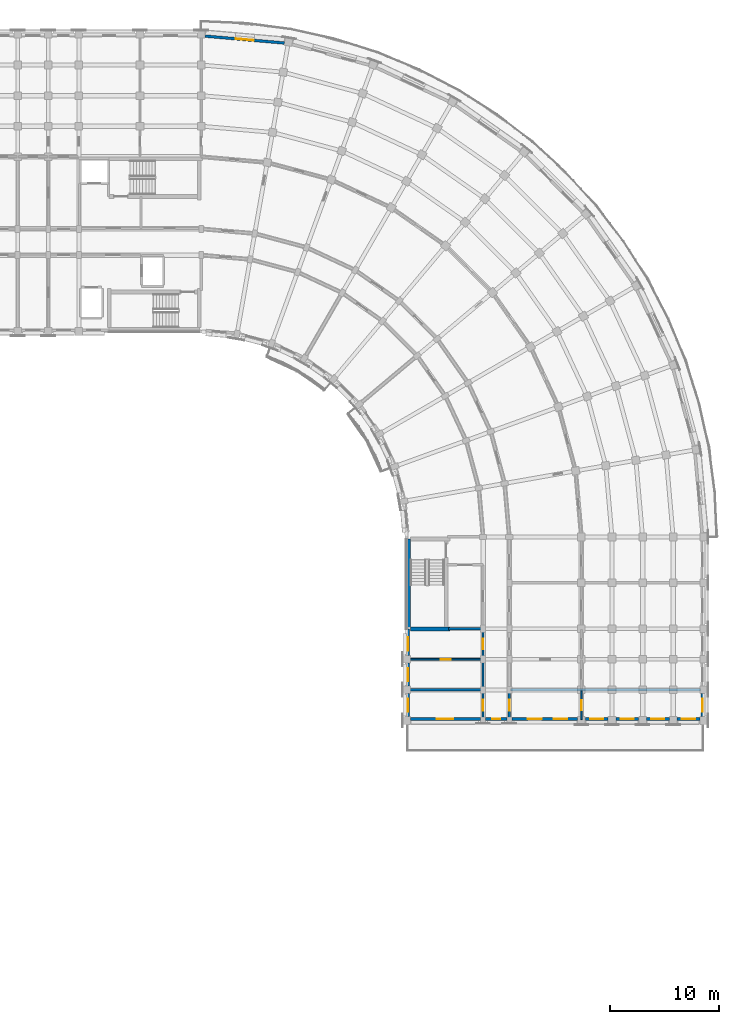
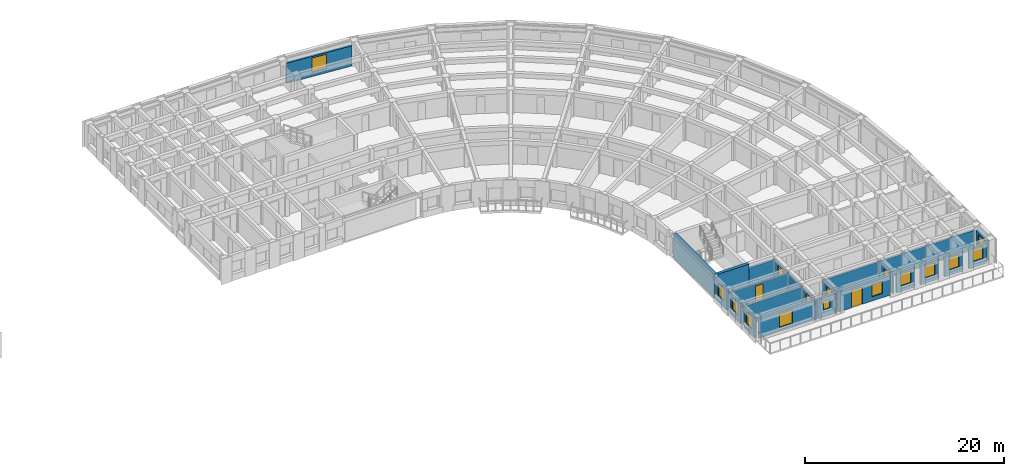
# One storey, part 33 of 54: 23 walls, 12 windows, 6 doors, 18 openings.
"""IFC4 building model written with IfcOpenShell, lengths in metres."""

import ifcopenshell
import ifcopenshell.guid

model = None  # the IFC model being written
_history = None  # IfcOwnerHistory: only IFC2X3 demands one
_inside = {}  # id of a spatial element -> (the spatial element, [elements in it])
_under = {}  # id of a project, library or spatial element -> (it, [spatial elements below it])
_declared = {}  # id of a project -> (the project, [libraries it declares])
_typed = {}  # id of a type object -> (the type object, [elements of that type])
_made_of = {}  # id of a material, layer set ... -> (it, [elements and type objects made of it])


def new_model(schema):
    """Start an empty IFC model of exactly this schema.

    Asked for "IFC4X3", IfcOpenShell would pick the latest addendum, in which some entities
    have other attributes; the version numbers below select the first issue.
    IFC2X3 requires an IfcOwnerHistory on every rooted entity: one is made here for all.
    """
    global model, _history
    if schema == "IFC4X3":
        model = ifcopenshell.file(schema_version=(4, 3, 0, 0))
    else:
        model = ifcopenshell.file(schema=schema)
    _inside.clear()
    _under.clear()
    _declared.clear()
    _typed.clear()
    _made_of.clear()
    _history = None
    if model.schema == "IFC2X3":
        org = make("IfcOrganization", Name="unknown")
        user = make(
            "IfcPersonAndOrganization",
            ThePerson=make("IfcPerson", FamilyName="unknown"),
            TheOrganization=org,
        )
        app = make(
            "IfcApplication",
            ApplicationDeveloper=org,
            Version="unknown",
            ApplicationFullName="unknown",
            ApplicationIdentifier="unknown",
        )
        _history = make(
            "IfcOwnerHistory",
            OwningUser=user,
            OwningApplication=app,
            ChangeAction="ADDED",
            CreationDate=0,
        )
    return model


def make(cls, **values):
    """One entity of the class cls with the attributes given. An attribute that is None is left unset."""
    return model.create_entity(
        cls, **{name: value for name, value in values.items() if value is not None}
    )


def rooted(cls, **values):
    """An entity with a GlobalId (a new one), such as an element, a storey or a relation."""
    return make(cls, GlobalId=ifcopenshell.guid.new(), OwnerHistory=_history, **values)


def si_unit(unit_type, name, prefix=None):
    """IfcSIUnit, for example si_unit("LENGTHUNIT", "METRE", prefix="MILLI")."""
    return make("IfcSIUnit", UnitType=unit_type, Prefix=prefix, Name=name)


def assignment(units):
    """IfcUnitAssignment: the units of a project."""
    return None if units is None else make("IfcUnitAssignment", Units=units)


def point(xyz):
    """IfcCartesianPoint."""
    return None if xyz is None else make("IfcCartesianPoint", Coordinates=xyz)


def direction(xyz):
    """IfcDirection."""
    return None if xyz is None else make("IfcDirection", DirectionRatios=xyz)


def frame(location, z_axis=None, x_axis=None):
    """IfcAxis2Placement3D, a coordinate frame: its origin and axes. An axis left out is left unset."""
    return make(
        "IfcAxis2Placement3D",
        Location=point(location),
        Axis=direction(z_axis),
        RefDirection=direction(x_axis),
    )


def frame_2d(location, x_axis=None):
    """IfcAxis2Placement2D, a coordinate frame in the plane: its origin and x axis."""
    return make(
        "IfcAxis2Placement2D", Location=point(location), RefDirection=direction(x_axis)
    )


def origin():
    """The frame at (0, 0, 0) with its axes left unset."""
    return frame((0.0, 0.0, 0.0))


def place(relative_to, where):
    """IfcLocalPlacement: puts the frame where relative to a parent placement (None: the world)."""
    return make(
        "IfcLocalPlacement", PlacementRelTo=relative_to, RelativePlacement=where
    )


def context(
    kind, dimensions, precision=None, world=None, true_north=None, identifier=None
):
    """IfcGeometricRepresentationContext, for example the 3D "Model" context."""
    return make(
        "IfcGeometricRepresentationContext",
        ContextIdentifier=identifier,
        ContextType=kind,
        CoordinateSpaceDimension=dimensions,
        Precision=precision,
        WorldCoordinateSystem=world,
        TrueNorth=true_north,
    )


def subcontext(parent, identifier, kind, view, scale=None):
    """IfcGeometricRepresentationSubContext, for example "Body" below "Model"."""
    return make(
        "IfcGeometricRepresentationSubContext",
        ContextIdentifier=identifier,
        ContextType=kind,
        ParentContext=parent,
        TargetScale=scale,
        TargetView=view,
    )


def project(units=None, contexts=None):
    """IfcProject with its units and contexts."""
    return rooted(
        "IfcProject",
        Name="project",
        RepresentationContexts=contexts,
        UnitsInContext=assignment(units),
    )


def spatial(cls, under=None, at=None, **own):
    """A site, building, storey or space (cls), placed at a placement, below another one or the project."""
    s = rooted(cls, ObjectPlacement=at, **own)
    if under is not None:
        _under.setdefault(under.id(), (under, []))[1].append(s)
    return s


def profile(cls, at=None, kind="AREA", **sizes):
    """A parametric profile (cls). Its sizes go by their IFC names, for example OverallWidth=200.0."""
    return make(cls, ProfileType=kind, Position=at, **sizes)


def rectangle(**sizes):
    """IfcRectangleProfileDef."""
    return profile("IfcRectangleProfileDef", **sizes)


def extrude(swept, where, along, depth):
    """IfcExtrudedAreaSolid: the profile swept, set in the frame where, extruded along a direction by depth."""
    return make(
        "IfcExtrudedAreaSolid",
        SweptArea=swept,
        Position=where,
        ExtrudedDirection=direction(along),
        Depth=depth,
    )


def shape(context_of_items, identifier, shape_type, items):
    """IfcShapeRepresentation: the items that make up one representation, for example the "Body"."""
    return make(
        "IfcShapeRepresentation",
        ContextOfItems=context_of_items,
        RepresentationIdentifier=identifier,
        RepresentationType=shape_type,
        Items=items,
    )


def material(Name=None, Category=None):
    """IfcMaterial."""
    return make("IfcMaterial", Name=Name, Category=Category)


def layer(
    of_material, thickness, ventilated=None, Name=None, Category=None, Priority=None
):
    """IfcMaterialLayer: one layer of a wall or slab, of a material (None: an air gap)."""
    return make(
        "IfcMaterialLayer",
        Material=of_material,
        LayerThickness=thickness,
        IsVentilated=ventilated,
        Name=Name,
        Category=Category,
        Priority=Priority,
    )


def layer_set(layers, Name=None):
    """IfcMaterialLayerSet."""
    return make("IfcMaterialLayerSet", MaterialLayers=layers, LayerSetName=Name)


def made_of(thing, what):
    """Note that an element or type object is made of a material, layer set ...; save() writes the relation."""
    if what is not None:
        _made_of.setdefault(what.id(), (what, []))[1].append(thing)
    return thing


def type_object(cls, material=None, **own):
    """A type object (cls), such as IfcWallType, which elements share."""
    return made_of(rooted(cls, **own), material)


def element(
    cls,
    number,
    at=None,
    inside=None,
    cuts=None,
    type_object=None,
    material=None,
    context=None,
    identifier="Body",
    shape_type=None,
    held_by="IfcProductDefinitionShape",
    body=None,
    shapes=None,
    **own,
):
    """One element of the class cls, such as IfcWall. Its Tag is "e" and its number.

    at: its placement. inside: the storey or other place that contains it. cuts: it is an
    opening in that element (IfcRelVoidsElement). A single representation is given by context,
    identifier, shape_type and body (its items); several are given by shapes. held_by: the class
    of the entity that holds the representations. save() writes the other relations.
    """
    e = rooted(cls, Tag="e%d" % number, ObjectPlacement=at, **own)
    if body is not None:
        shapes = [shape(context, identifier, shape_type, body)]
    if shapes is not None:
        e.Representation = make(held_by, Representations=shapes)
    if inside is not None:
        _inside.setdefault(inside.id(), (inside, []))[1].append(e)
    if cuts is not None:
        rooted(
            "IfcRelVoidsElement", RelatingBuildingElement=cuts, RelatedOpeningElement=e
        )
    if type_object is not None:
        _typed.setdefault(type_object.id(), (type_object, []))[1].append(e)
    return made_of(e, material)


def fill(opening, filler):
    """IfcRelFillsElement: the door or window that sits in an opening."""
    return rooted(
        "IfcRelFillsElement",
        RelatingOpeningElement=opening,
        RelatedBuildingElement=filler,
    )


def aggregate(whole, parts):
    """IfcRelAggregates: a whole, such as a stair, and the parts it consists of."""
    return rooted("IfcRelAggregates", RelatingObject=whole, RelatedObjects=parts)


def save(model, path):
    """Write the relations noted so far, then the file.

    IfcRelAggregates (storeys below a building ...), IfcRelContainedInSpatialStructure (elements
    in a storey), IfcRelDefinesByType, IfcRelAssociatesMaterial and IfcRelDeclares: one each for
    every whole, place, type object, material and project.
    """
    for whole, parts in _under.values():
        aggregate(whole, parts)
    for where, things in _inside.values():
        rooted(
            "IfcRelContainedInSpatialStructure",
            RelatedElements=things,
            RelatingStructure=where,
        )
    for kind, things in _typed.values():
        rooted("IfcRelDefinesByType", RelatedObjects=things, RelatingType=kind)
    for what, things in _made_of.values():
        rooted("IfcRelAssociatesMaterial", RelatedObjects=things, RelatingMaterial=what)
    for by, libraries in _declared.values():
        rooted("IfcRelDeclares", RelatingContext=by, RelatedDefinitions=libraries)
    model.write(path)


model = new_model("IFC4")

# Units and contexts
model_context = context("Model", 3, precision=1e-05, world=origin(), true_north=direction((0.0, 1.0)))
body_context = subcontext(model_context, "Body", "Model", "MODEL_VIEW")
ifc_project = project(units=[si_unit("LENGTHUNIT", "METRE"), si_unit("AREAUNIT", "SQUARE_METRE"), si_unit("VOLUMEUNIT", "CUBIC_METRE"), si_unit("PLANEANGLEUNIT", "RADIAN"), si_unit("MASSUNIT", "GRAM", prefix="KILO")], contexts=[model_context])

# Site, building, storey
site_placement = place(None, origin())
site = spatial("IfcSite", under=ifc_project, at=site_placement, CompositionType="ELEMENT")
building_placement = place(site_placement, origin())
building = spatial("IfcBuilding", under=site, at=building_placement, Name="Kiranvali Square Residences", CompositionType="ELEMENT")
storey_placement = place(building_placement, frame((0.0, 0.0, 27.60009765625)))
storey = spatial("IfcBuildingStorey", under=building, at=storey_placement, Name="L08", CompositionType="ELEMENT", Elevation=27.60009765625)

# Wall, opening, door
ifc_material_1 = material(Name="Autoclaved aerated concrete blockwork masonry", Category="masonry")
ifc_layer_1 = layer(ifc_material_1, 0.199951171875)
ifc_layer_set_1 = layer_set([ifc_layer_1], Name="Autoclaved aerated concrete blockwork masonry")
wall_type_1 = type_object("IfcWallType", Name="WL-COR-200", PredefinedType="STANDARD", material=ifc_layer_set_1)
wall_1_placement = place(storey_placement, frame((145.60009765625, 79.39990234375, 0.0), z_axis=(0.0, 0.0, 1.0), x_axis=(0.0, -1.0, 0.0)))
wall_1 = element("IfcWall", 1, at=wall_1_placement, inside=storey, type_object=wall_type_1, Name="L08 architectural wall WL-L08-B-A2CI-0", PredefinedType="STANDARD", context=body_context, shape_type="SweptSolid", body=[
    extrude(rectangle(XDim=2.7998046875, YDim=0.199951171875, at=frame_2d((1.39990234375, 0.0))), origin(), (0.0, 0.0, 1.0), 2.371826171875),
])
opening_1_placement = place(wall_1_placement, frame((0.89990234375, 0.0, 0.0)))
opening_1 = element("IfcOpeningElement", 2, at=opening_1_placement, cuts=wall_1, Name="Opening FD-APT-60", PredefinedType="OPENING", context=body_context, shape_type="SweptSolid", body=[
    extrude(rectangle(XDim=1.0, YDim=2.14990234375, at=frame_2d((0.5, 1.074951171875))), frame((0.0, 0.10986328125, 0.0), z_axis=(0.0, -1.0, 0.0), x_axis=(1.0, 0.0, 0.0)), (0.0, 0.0, 1.0), 0.219970703125),
])
ifc_material_2 = material(Name="Fire-rated acoustic hardwood and mineral-core door assembly", Category="wood")
door_type_1 = type_object("IfcDoorType", Name="DR-APT-1000", OperationType="NOTDEFINED", PredefinedType="DOOR", material=ifc_material_2)
door_1_placement = place(opening_1_placement, frame((1.0, 0.0, 0.0), z_axis=(0.0, 0.0, 1.0), x_axis=(-1.0, 0.0, 0.0)))
door_1 = element("IfcDoor", 3, at=door_1_placement, inside=storey, type_object=door_type_1, Name="L08 door DR-L08-1504 (DR-APT-1000)", OperationType="SINGLE_SWING_RIGHT", OverallHeight=2.14990234375, OverallWidth=1.0, PredefinedType="DOOR", context=body_context, shape_type="SweptSolid", body=[
    extrude(rectangle(XDim=1.0, YDim=2.14990234375, at=frame_2d((0.5, 1.074951171875))), frame((0.0, 0.02490234375, 0.0), z_axis=(0.0, -1.0, 0.0), x_axis=(1.0, 0.0, 0.0)), (0.0, 0.0, 1.0), 0.050048828125),
])
fill(opening_1, door_1)

# Wall
wall_2_placement = place(storey_placement, frame((145.60009765625, 76.60009765625, 0.0), z_axis=(0.0, 0.0, 1.0), x_axis=(0.0, -1.0, 0.0)))
element("IfcWall", 4, at=wall_2_placement, inside=storey, type_object=wall_type_1, Name="L08 architectural wall WL-L08-B-A2CI-1", PredefinedType="STANDARD", context=body_context, shape_type="SweptSolid", body=[
    extrude(rectangle(XDim=2.800048828125, YDim=0.199951171875, at=frame_2d((1.39990234375, 0.0))), origin(), (0.0, 0.0, 1.0), 2.371826171875),
])

# Wall, opening, door
wall_3_placement = place(storey_placement, frame((145.60009765625, 73.800048828125, 0.0), z_axis=(0.0, 0.0, 1.0), x_axis=(0.0, -1.0, 0.0)))
wall_3 = element("IfcWall", 5, at=wall_3_placement, inside=storey, type_object=wall_type_1, Name="L08 architectural wall WL-L08-B-A2CI-2", PredefinedType="STANDARD", context=body_context, shape_type="SweptSolid", body=[
    extrude(rectangle(XDim=2.800048828125, YDim=0.199951171875, at=frame_2d((1.39990234375, 0.0))), origin(), (0.0, 0.0, 1.0), 2.371826171875),
])
opening_2_placement = place(wall_3_placement, frame((0.89990234375, 0.0, 0.0)))
opening_2 = element("IfcOpeningElement", 6, at=opening_2_placement, cuts=wall_3, Name="Opening FD-APT-60", PredefinedType="OPENING", context=body_context, shape_type="SweptSolid", body=[
    extrude(rectangle(XDim=1.0, YDim=2.14990234375, at=frame_2d((0.5, 1.074951171875))), frame((0.0, 0.10986328125, 0.0), z_axis=(0.0, -1.0, 0.0), x_axis=(1.0, 0.0, 0.0)), (0.0, 0.0, 1.0), 0.219970703125),
])
door_2_placement = place(opening_2_placement, frame((1.0, 0.0, 0.0), z_axis=(0.0, 0.0, 1.0), x_axis=(-1.0, 0.0, 0.0)))
door_2 = element("IfcDoor", 7, at=door_2_placement, inside=storey, type_object=door_type_1, Name="L08 door DR-L08-1510 (DR-APT-1000)", OperationType="SINGLE_SWING_RIGHT", OverallHeight=2.14990234375, OverallWidth=1.0, PredefinedType="DOOR", context=body_context, shape_type="SweptSolid", body=[
    extrude(rectangle(XDim=1.0, YDim=2.14990234375, at=frame_2d((0.5, 1.074951171875))), frame((0.0, 0.02490234375, 0.0), z_axis=(0.0, -1.0, 0.0), x_axis=(1.0, 0.0, 0.0)), (0.0, 0.0, 1.0), 0.050048828125),
])
fill(opening_2, door_2)

wall_4_placement = place(storey_placement, frame((148.0, 73.800048828125, 0.0), z_axis=(0.0, 0.0, 1.0), x_axis=(0.0, -1.0, 0.0)))
wall_4 = element("IfcWall", 8, at=wall_4_placement, inside=storey, type_object=wall_type_1, Name="L08 architectural wall WL-L08-B-A2CO-2", PredefinedType="STANDARD", context=body_context, shape_type="SweptSolid", body=[
    extrude(rectangle(XDim=2.800048828125, YDim=0.199951171875, at=frame_2d((1.39990234375, 0.0))), origin(), (0.0, 0.0, 1.0), 2.371826171875),
])
opening_3_placement = place(wall_4_placement, frame((0.89990234375, 0.0, 0.0)))
opening_3 = element("IfcOpeningElement", 9, at=opening_3_placement, cuts=wall_4, Name="Opening FD-APT-60", PredefinedType="OPENING", context=body_context, shape_type="SweptSolid", body=[
    extrude(rectangle(XDim=1.0, YDim=2.14990234375, at=frame_2d((0.5, 1.074951171875))), frame((0.0, 0.10986328125, 0.0), z_axis=(0.0, -1.0, 0.0), x_axis=(1.0, 0.0, 0.0)), (0.0, 0.0, 1.0), 0.219970703125),
])
door_3_placement = place(opening_3_placement, frame((1.0, 0.0, 0.0), z_axis=(0.0, 0.0, 1.0), x_axis=(-1.0, 0.0, 0.0)))
door_3 = element("IfcDoor", 10, at=door_3_placement, inside=storey, type_object=door_type_1, Name="L08 door DR-L08-1512 (DR-APT-1000)", OperationType="SINGLE_SWING_RIGHT", OverallHeight=2.14990234375, OverallWidth=1.0, PredefinedType="DOOR", context=body_context, shape_type="SweptSolid", body=[
    extrude(rectangle(XDim=1.0, YDim=2.14990234375, at=frame_2d((0.5, 1.074951171875))), frame((0.0, 0.02490234375, 0.0), z_axis=(0.0, -1.0, 0.0), x_axis=(1.0, 0.0, 0.0)), (0.0, 0.0, 1.0), 0.050048828125),
])
fill(opening_3, door_3)

# Walls
ifc_layer_2 = layer(ifc_material_1, 0.219970703125)
ifc_layer_set_2 = layer_set([ifc_layer_2], Name="Autoclaved aerated concrete blockwork masonry")
wall_type_2 = type_object("IfcWallType", Name="WL-DEM-220", PredefinedType="STANDARD", material=ifc_layer_set_2)
wall_5_placement = place(storey_placement, frame((142.449951171875, 79.39990234375, 0.0), z_axis=(0.0, 0.0, 1.0), x_axis=(1.0, 0.0, 0.0)))
element("IfcWall", 11, at=wall_5_placement, inside=storey, type_object=wall_type_2, Name="L08 architectural wall WL-L08-B-A2TI-0", PredefinedType="STANDARD", context=body_context, shape_type="SweptSolid", body=[
    extrude(rectangle(XDim=3.10009765625, YDim=0.219970703125, at=frame_2d((1.550048828125, 0.0))), origin(), (0.0, 0.0, 1.0), 2.371826171875),
])
wall_6_placement = place(storey_placement, frame((138.800048828125, 73.800048828125, 0.0), z_axis=(0.0, 0.0, 1.0), x_axis=(1.0, 0.0, 0.0)))
element("IfcWall", 12, at=wall_6_placement, inside=storey, type_object=wall_type_2, Name="L08 architectural wall WL-L08-B-A2TI-2", PredefinedType="STANDARD", context=body_context, shape_type="SweptSolid", body=[
    extrude(rectangle(XDim=6.75, YDim=0.219970703125, at=frame_2d((3.375, 0.0))), origin(), (0.0, 0.0, 1.0), 2.371826171875),
])
wall_7_placement = place(storey_placement, frame((148.10009765625, 73.800048828125, 0.0), z_axis=(0.0, 0.0, 1.0), x_axis=(1.0, 0.0, 0.0)))
element("IfcWall", 13, at=wall_7_placement, inside=storey, type_object=wall_type_2, Name="L08 architectural wall WL-L08-B-A2TO-2", PredefinedType="STANDARD", context=body_context, shape_type="SweptSolid", body=[
    extrude(rectangle(XDim=17.419921875, YDim=0.219970703125, at=frame_2d((8.7099609375, 0.0))), origin(), (0.0, 0.0, 1.0), 2.371826171875),
])

# Wall, opening, window
ifc_material_3 = material(Name="Breathable lime-rendered clay brick masonry", Category="masonry")
ifc_layer_3 = layer(ifc_material_3, 0.25)
ifc_layer_set_3 = layer_set([ifc_layer_3], Name="Breathable lime-rendered clay brick masonry")
wall_type_3 = type_object("IfcWallType", Name="WL-EXT-250", PredefinedType="STANDARD", material=ifc_layer_set_3)
wall_8_placement = place(storey_placement, frame((120.16357421875, 133.642822265625, 0.0), z_axis=(0.0, 0.0, 1.0), x_axis=(0.99619214922, -0.08718487158, 0.0)))
wall_8 = element("IfcWall", 14, at=wall_8_placement, inside=storey, type_object=wall_type_3, Name="L08 exterior wall B-L08-CRV-00", PredefinedType="STANDARD", context=body_context, shape_type="SweptSolid", body=[
    extrude(rectangle(XDim=7.2666015625, YDim=0.25, at=frame_2d((3.63330078125, 0.0))), origin(), (0.0, 0.0, 1.0), 2.47998046875),
])
opening_4_placement = place(wall_8_placement, frame((2.808349609375, 0.0, 0.530029296875)))
opening_4 = element("IfcOpeningElement", 15, at=opening_4_placement, cuts=wall_8, Name="Opening W-13", PredefinedType="OPENING", context=body_context, shape_type="SweptSolid", body=[
    extrude(rectangle(XDim=1.64990234375, YDim=1.75, at=frame_2d((0.824951171875, 0.875))), frame((0.0, 0.135009765625, 0.0), z_axis=(0.0, -1.0, 0.0), x_axis=(1.0, 0.0, 0.0)), (0.0, 0.0, 1.0), 0.27001953125),
])
ifc_material_4 = material(Name="Solar-control low-e double glazing", Category="glass")
window_type_1 = type_object("IfcWindowType", Name="WIN-RES-1650x1750", PartitioningType="DOUBLE_PANEL_VERTICAL", PredefinedType="WINDOW", material=ifc_material_4)
window_1_placement = place(opening_4_placement, origin())
window_1 = element("IfcWindow", 16, at=window_1_placement, inside=storey, type_object=window_type_1, Name="L08 recessed window B-L08-CRV-00", OverallHeight=1.75, OverallWidth=1.64990234375, PartitioningType="DOUBLE_PANEL_VERTICAL", PredefinedType="WINDOW", context=body_context, shape_type="SweptSolid", body=[
    extrude(rectangle(XDim=1.64990234375, YDim=1.75, at=frame_2d((0.824951171875, 0.875))), frame((0.0, 0.030029296875, 0.0), z_axis=(0.0, -1.0, 0.0), x_axis=(1.0, 0.0, 0.0)), (0.0, 0.0, 1.0), 0.06005859375),
])
fill(opening_4, window_1)

wall_9_placement = place(storey_placement, frame((165.675048828125, 73.446533203125, 0.0), z_axis=(0.0, 0.0, 1.0), x_axis=(0.0, -1.0, 0.0)))
wall_9 = element("IfcWall", 17, at=wall_9_placement, inside=storey, type_object=wall_type_3, Name="L08 exterior wall B-L08-A2O-4", PredefinedType="STANDARD", context=body_context, shape_type="SweptSolid", body=[
    extrude(rectangle(XDim=2.093017578125, YDim=0.25, at=frame_2d((1.04638671875, 0.0))), origin(), (0.0, 0.0, 1.0), 2.47998046875),
])
opening_5_placement = place(wall_9_placement, frame((0.446533203125, 0.0, 0.780029296875)))
opening_5 = element("IfcOpeningElement", 18, at=opening_5_placement, cuts=wall_9, Name="Opening W-06", PredefinedType="OPENING", context=body_context, shape_type="SweptSolid", body=[
    extrude(rectangle(XDim=1.199951171875, YDim=1.5, at=frame_2d((0.60009765625, 0.75))), frame((0.0, 0.135009765625, 0.0), z_axis=(0.0, -1.0, 0.0), x_axis=(1.0, 0.0, 0.0)), (0.0, 0.0, 1.0), 0.27001953125),
])
window_type_2 = type_object("IfcWindowType", Name="WIN-RES-1200x1500", PartitioningType="SINGLE_PANEL", PredefinedType="WINDOW", material=ifc_material_4)
window_2_placement = place(opening_5_placement, origin())
window_2 = element("IfcWindow", 19, at=window_2_placement, inside=storey, type_object=window_type_2, Name="L08 recessed window B-L08-A2O-4", OverallHeight=1.5, OverallWidth=1.199951171875, PartitioningType="SINGLE_PANEL", PredefinedType="WINDOW", context=body_context, shape_type="SweptSolid", body=[
    extrude(rectangle(XDim=1.199951171875, YDim=1.5, at=frame_2d((0.60009765625, 0.75))), frame((0.0, 0.030029296875, 0.0), z_axis=(0.0, -1.0, 0.0), x_axis=(1.0, 0.0, 0.0)), (0.0, 0.0, 1.0), 0.06005859375),
])
fill(opening_5, window_2)

wall_10_placement = place(storey_placement, frame((138.72509765625, 79.37158203125, 0.0), z_axis=(0.0, 0.0, 1.0), x_axis=(0.0, -1.0, 0.0)))
wall_10 = element("IfcWall", 20, at=wall_10_placement, inside=storey, type_object=wall_type_3, Name="L08 exterior wall B-L08-A2I-0", PredefinedType="STANDARD", context=body_context, shape_type="SweptSolid", body=[
    extrude(rectangle(XDim=2.41796875, YDim=0.25, at=frame_2d((1.208984375, 0.0))), origin(), (0.0, 0.0, 1.0), 2.471923828125),
])
opening_6_placement = place(wall_10_placement, frame((0.771484375, 0.0, 0.77197265625)))
opening_6 = element("IfcOpeningElement", 21, at=opening_6_placement, cuts=wall_10, Name="Opening W-06", PredefinedType="OPENING", context=body_context, shape_type="SweptSolid", body=[
    extrude(rectangle(XDim=1.199951171875, YDim=1.5, at=frame_2d((0.60009765625, 0.75))), frame((0.0, 0.135009765625, 0.0), z_axis=(0.0, -1.0, 0.0), x_axis=(1.0, 0.0, 0.0)), (0.0, 0.0, 1.0), 0.27001953125),
])
window_3_placement = place(opening_6_placement, origin())
window_3 = element("IfcWindow", 22, at=window_3_placement, inside=storey, type_object=window_type_2, Name="L08 recessed window B-L08-A2I-0", OverallHeight=1.5, OverallWidth=1.199951171875, PartitioningType="SINGLE_PANEL", PredefinedType="WINDOW", context=body_context, shape_type="SweptSolid", body=[
    extrude(rectangle(XDim=1.199951171875, YDim=1.5, at=frame_2d((0.60009765625, 0.75))), frame((0.0, 0.030029296875, 0.0), z_axis=(0.0, -1.0, 0.0), x_axis=(1.0, 0.0, 0.0)), (0.0, 0.0, 1.0), 0.06005859375),
])
fill(opening_6, window_3)

wall_11_placement = place(storey_placement, frame((138.72509765625, 76.24658203125, 0.0), z_axis=(0.0, 0.0, 1.0), x_axis=(0.0, -1.0, 0.0)))
wall_11 = element("IfcWall", 23, at=wall_11_placement, inside=storey, type_object=wall_type_3, Name="L08 exterior wall B-L08-A2I-1", PredefinedType="STANDARD", context=body_context, shape_type="SweptSolid", body=[
    extrude(rectangle(XDim=2.093017578125, YDim=0.25, at=frame_2d((1.04638671875, 0.0))), origin(), (0.0, 0.0, 1.0), 2.471923828125),
])
opening_7_placement = place(wall_11_placement, frame((0.446533203125, 0.0, 0.77197265625)))
opening_7 = element("IfcOpeningElement", 24, at=opening_7_placement, cuts=wall_11, Name="Opening W-06", PredefinedType="OPENING", context=body_context, shape_type="SweptSolid", body=[
    extrude(rectangle(XDim=1.199951171875, YDim=1.5, at=frame_2d((0.60009765625, 0.75))), frame((0.0, 0.135009765625, 0.0), z_axis=(0.0, -1.0, 0.0), x_axis=(1.0, 0.0, 0.0)), (0.0, 0.0, 1.0), 0.27001953125),
])
window_4_placement = place(opening_7_placement, origin())
window_4 = element("IfcWindow", 25, at=window_4_placement, inside=storey, type_object=window_type_2, Name="L08 recessed window B-L08-A2I-1", OverallHeight=1.5, OverallWidth=1.199951171875, PartitioningType="SINGLE_PANEL", PredefinedType="WINDOW", context=body_context, shape_type="SweptSolid", body=[
    extrude(rectangle(XDim=1.199951171875, YDim=1.5, at=frame_2d((0.60009765625, 0.75))), frame((0.0, 0.030029296875, 0.0), z_axis=(0.0, -1.0, 0.0), x_axis=(1.0, 0.0, 0.0)), (0.0, 0.0, 1.0), 0.06005859375),
])
fill(opening_7, window_4)

wall_12_placement = place(storey_placement, frame((138.72509765625, 73.446533203125, 0.0), z_axis=(0.0, 0.0, 1.0), x_axis=(0.0, -1.0, 0.0)))
wall_12 = element("IfcWall", 26, at=wall_12_placement, inside=storey, type_object=wall_type_3, Name="L08 exterior wall B-L08-A2I-2", PredefinedType="STANDARD", context=body_context, shape_type="SweptSolid", body=[
    extrude(rectangle(XDim=2.093017578125, YDim=0.25, at=frame_2d((1.04638671875, 0.0))), origin(), (0.0, 0.0, 1.0), 2.471923828125),
])
opening_8_placement = place(wall_12_placement, frame((0.446533203125, 0.0, 0.77197265625)))
opening_8 = element("IfcOpeningElement", 27, at=opening_8_placement, cuts=wall_12, Name="Opening W-06", PredefinedType="OPENING", context=body_context, shape_type="SweptSolid", body=[
    extrude(rectangle(XDim=1.199951171875, YDim=1.5, at=frame_2d((0.60009765625, 0.75))), frame((0.0, 0.135009765625, 0.0), z_axis=(0.0, -1.0, 0.0), x_axis=(1.0, 0.0, 0.0)), (0.0, 0.0, 1.0), 0.27001953125),
])
window_5_placement = place(opening_8_placement, origin())
window_5 = element("IfcWindow", 28, at=window_5_placement, inside=storey, type_object=window_type_2, Name="L08 recessed window B-L08-A2I-2", OverallHeight=1.5, OverallWidth=1.199951171875, PartitioningType="SINGLE_PANEL", PredefinedType="WINDOW", context=body_context, shape_type="SweptSolid", body=[
    extrude(rectangle(XDim=1.199951171875, YDim=1.5, at=frame_2d((0.60009765625, 0.75))), frame((0.0, 0.030029296875, 0.0), z_axis=(0.0, -1.0, 0.0), x_axis=(1.0, 0.0, 0.0)), (0.0, 0.0, 1.0), 0.06005859375),
])
fill(opening_8, window_5)

wall_13_placement = place(storey_placement, frame((138.95361328125, 71.125, 0.0), z_axis=(0.0, 0.0, 1.0), x_axis=(1.0, 0.0, 0.0)))
wall_13 = element("IfcWall", 29, at=wall_13_placement, inside=storey, type_object=wall_type_3, Name="L08 exterior wall B-L08-A2END-0", PredefinedType="STANDARD", context=body_context, shape_type="SweptSolid", body=[
    extrude(rectangle(XDim=6.41796875, YDim=0.25, at=frame_2d((3.208984375, 0.0))), origin(), (0.0, 0.0, 1.0), 2.371826171875),
])
opening_9_placement = place(wall_13_placement, frame((2.396484375, 0.0, 0.52197265625)))
opening_9 = element("IfcOpeningElement", 30, at=opening_9_placement, cuts=wall_13, Name="Opening W-05", PredefinedType="OPENING", context=body_context, shape_type="SweptSolid", body=[
    extrude(rectangle(XDim=1.5, YDim=1.64990234375, at=frame_2d((0.75, 0.824951171875))), frame((0.0, 0.135009765625, 0.0), z_axis=(0.0, -1.0, 0.0), x_axis=(1.0, 0.0, 0.0)), (0.0, 0.0, 1.0), 0.27001953125),
])
window_type_3 = type_object("IfcWindowType", Name="WIN-RES-1500x1650", PartitioningType="DOUBLE_PANEL_VERTICAL", PredefinedType="WINDOW", material=ifc_material_4)
window_6_placement = place(opening_9_placement, origin())
window_6 = element("IfcWindow", 31, at=window_6_placement, inside=storey, type_object=window_type_3, Name="L08 recessed window B-L08-A2END-0", OverallHeight=1.64990234375, OverallWidth=1.5, PartitioningType="DOUBLE_PANEL_VERTICAL", PredefinedType="WINDOW", context=body_context, shape_type="SweptSolid", body=[
    extrude(rectangle(XDim=1.5, YDim=1.64990234375, at=frame_2d((0.75, 0.824951171875))), frame((0.0, 0.030029296875, 0.0), z_axis=(0.0, -1.0, 0.0), x_axis=(1.0, 0.0, 0.0)), (0.0, 0.0, 1.0), 0.06005859375),
])
fill(opening_9, window_6)

wall_14_placement = place(storey_placement, frame((145.82861328125, 71.125, 0.0), z_axis=(0.0, 0.0, 1.0), x_axis=(1.0, 0.0, 0.0)))
wall_14 = element("IfcWall", 32, at=wall_14_placement, inside=storey, type_object=wall_type_3, Name="L08 exterior wall B-L08-A2END-1", PredefinedType="STANDARD", context=body_context, shape_type="SweptSolid", body=[
    extrude(rectangle(XDim=1.94287109375, YDim=0.25, at=frame_2d((0.971435546875, 0.0))), origin(), (0.0, 0.0, 1.0), 2.371826171875),
])
opening_10_placement = place(wall_14_placement, frame((0.596435546875, 0.0, 0.8798828125)))
opening_10 = element("IfcOpeningElement", 33, at=opening_10_placement, cuts=wall_14, Name="Opening W-07", PredefinedType="OPENING", context=body_context, shape_type="SweptSolid", body=[
    extrude(rectangle(XDim=0.75, YDim=1.050048828125, at=frame_2d((0.375, 0.52490234375))), frame((0.0, 0.135009765625, 0.0), z_axis=(0.0, -1.0, 0.0), x_axis=(1.0, 0.0, 0.0)), (0.0, 0.0, 1.0), 0.27001953125),
])
window_type_4 = type_object("IfcWindowType", Name="WIN-WET-750x1050", PartitioningType="SINGLE_PANEL", PredefinedType="WINDOW", material=ifc_material_4)
window_7_placement = place(opening_10_placement, origin())
window_7 = element("IfcWindow", 34, at=window_7_placement, inside=storey, type_object=window_type_4, Name="L08 recessed window B-L08-A2END-1", OverallHeight=1.050048828125, OverallWidth=0.75, PartitioningType="SINGLE_PANEL", PredefinedType="WINDOW", context=body_context, shape_type="SweptSolid", body=[
    extrude(rectangle(XDim=0.75, YDim=1.050048828125, at=frame_2d((0.375, 0.52490234375))), frame((0.0, 0.030029296875, 0.0), z_axis=(0.0, -1.0, 0.0), x_axis=(1.0, 0.0, 0.0)), (0.0, 0.0, 1.0), 0.06005859375),
])
fill(opening_10, window_7)

# Wall, openings, door, window
wall_15_placement = place(storey_placement, frame((148.228515625, 71.125, 0.0), z_axis=(0.0, 0.0, 1.0), x_axis=(1.0, 0.0, 0.0)))
wall_15 = element("IfcWall", 35, at=wall_15_placement, inside=storey, type_object=wall_type_3, Name="L08 exterior wall B-L08-A2END-2", PredefinedType="STANDARD", context=body_context, shape_type="SweptSolid", body=[
    extrude(rectangle(XDim=6.01806640625, YDim=0.25, at=frame_2d((3.009033203125, 0.0))), origin(), (0.0, 0.0, 1.0), 2.371826171875),
])
opening_11_placement = place(wall_15_placement, frame((3.85400390625, 0.0, 0.52197265625)))
opening_11 = element("IfcOpeningElement", 36, at=opening_11_placement, cuts=wall_15, Name="Opening W-06", PredefinedType="OPENING", context=body_context, shape_type="SweptSolid", body=[
    extrude(rectangle(XDim=1.199951171875, YDim=1.5, at=frame_2d((0.60009765625, 0.75))), frame((0.0, 0.135009765625, 0.0), z_axis=(0.0, -1.0, 0.0), x_axis=(1.0, 0.0, 0.0)), (0.0, 0.0, 1.0), 0.27001953125),
])
opening_12_placement = place(wall_15_placement, frame((1.476318359375, 0.0, 0.0)))
opening_12 = element("IfcOpeningElement", 37, at=opening_12_placement, cuts=wall_15, Name="Opening ED-BAL-2", PredefinedType="OPENING", context=body_context, shape_type="SweptSolid", body=[
    extrude(rectangle(XDim=1.260009765625, YDim=2.14990234375, at=frame_2d((0.6298828125, 1.074951171875))), frame((0.0, 0.135009765625, 0.0), z_axis=(0.0, -1.0, 0.0), x_axis=(1.0, 0.0, 0.0)), (0.0, 0.0, 1.0), 0.27001953125),
])
ifc_material_5 = material(Name="Anodised bronze aluminium framing", Category="aluminium")
door_type_2 = type_object("IfcDoorType", Name="DR-BAL-1260", OperationType="NOTDEFINED", PredefinedType="DOOR", material=ifc_material_5)
door_4_placement = place(opening_12_placement, frame((1.260009765625, 0.0, 0.0), z_axis=(0.0, 0.0, 1.0), x_axis=(-1.0, 0.0, 0.0)))
door_4 = element("IfcDoor", 38, at=door_4_placement, inside=storey, type_object=door_type_2, Name="L08 balcony terrace door", OperationType="SINGLE_SWING_RIGHT", OverallHeight=2.14990234375, OverallWidth=1.260009765625, PredefinedType="DOOR", context=body_context, shape_type="SweptSolid", body=[
    extrude(rectangle(XDim=1.260009765625, YDim=2.14990234375, at=frame_2d((0.6298828125, 1.074951171875))), frame((0.0, 0.02490234375, 0.0), z_axis=(0.0, -1.0, 0.0), x_axis=(1.0, 0.0, 0.0)), (0.0, 0.0, 1.0), 0.050048828125),
])
fill(opening_12, door_4)
window_8_placement = place(opening_11_placement, origin())
window_8 = element("IfcWindow", 39, at=window_8_placement, inside=storey, type_object=window_type_2, Name="L08 recessed window B-L08-A2END-2", OverallHeight=1.5, OverallWidth=1.199951171875, PartitioningType="SINGLE_PANEL", PredefinedType="WINDOW", context=body_context, shape_type="SweptSolid", body=[
    extrude(rectangle(XDim=1.199951171875, YDim=1.5, at=frame_2d((0.60009765625, 0.75))), frame((0.0, 0.030029296875, 0.0), z_axis=(0.0, -1.0, 0.0), x_axis=(1.0, 0.0, 0.0)), (0.0, 0.0, 1.0), 0.06005859375),
])
fill(opening_11, window_8)

# Wall, opening, window
wall_16_placement = place(storey_placement, frame((154.95361328125, 71.125, 0.0), z_axis=(0.0, 0.0, 1.0), x_axis=(1.0, 0.0, 0.0)))
wall_16 = element("IfcWall", 40, at=wall_16_placement, inside=storey, type_object=wall_type_3, Name="L08 exterior wall B-L08-A2END-3", PredefinedType="STANDARD", context=body_context, shape_type="SweptSolid", body=[
    extrude(rectangle(XDim=2.0927734375, YDim=0.25, at=frame_2d((1.04638671875, 0.0))), origin(), (0.0, 0.0, 1.0), 2.371826171875),
])
opening_13_placement = place(wall_16_placement, frame((0.446533203125, 0.0, 0.672119140625)))
opening_13 = element("IfcOpeningElement", 41, at=opening_13_placement, cuts=wall_16, Name="Opening W-06", PredefinedType="OPENING", context=body_context, shape_type="SweptSolid", body=[
    extrude(rectangle(XDim=1.199951171875, YDim=1.5, at=frame_2d((0.60009765625, 0.75))), frame((0.0, 0.135009765625, 0.0), z_axis=(0.0, -1.0, 0.0), x_axis=(1.0, 0.0, 0.0)), (0.0, 0.0, 1.0), 0.27001953125),
])
window_9_placement = place(opening_13_placement, origin())
window_9 = element("IfcWindow", 42, at=window_9_placement, inside=storey, type_object=window_type_2, Name="L08 recessed window B-L08-A2END-3", OverallHeight=1.5, OverallWidth=1.199951171875, PartitioningType="SINGLE_PANEL", PredefinedType="WINDOW", context=body_context, shape_type="SweptSolid", body=[
    extrude(rectangle(XDim=1.199951171875, YDim=1.5, at=frame_2d((0.60009765625, 0.75))), frame((0.0, 0.030029296875, 0.0), z_axis=(0.0, -1.0, 0.0), x_axis=(1.0, 0.0, 0.0)), (0.0, 0.0, 1.0), 0.06005859375),
])
fill(opening_13, window_9)

wall_17_placement = place(storey_placement, frame((157.75341796875, 71.125, 0.0), z_axis=(0.0, 0.0, 1.0), x_axis=(1.0, 0.0, 0.0)))
wall_17 = element("IfcWall", 43, at=wall_17_placement, inside=storey, type_object=wall_type_3, Name="L08 exterior wall B-L08-A2END-4", PredefinedType="STANDARD", context=body_context, shape_type="SweptSolid", body=[
    extrude(rectangle(XDim=2.093017578125, YDim=0.25, at=frame_2d((1.04638671875, 0.0))), origin(), (0.0, 0.0, 1.0), 2.371826171875),
])
opening_14_placement = place(wall_17_placement, frame((0.446533203125, 0.0, 0.672119140625)))
opening_14 = element("IfcOpeningElement", 44, at=opening_14_placement, cuts=wall_17, Name="Opening W-06", PredefinedType="OPENING", context=body_context, shape_type="SweptSolid", body=[
    extrude(rectangle(XDim=1.199951171875, YDim=1.5, at=frame_2d((0.60009765625, 0.75))), frame((0.0, 0.135009765625, 0.0), z_axis=(0.0, -1.0, 0.0), x_axis=(1.0, 0.0, 0.0)), (0.0, 0.0, 1.0), 0.27001953125),
])
window_10_placement = place(opening_14_placement, origin())
window_10 = element("IfcWindow", 45, at=window_10_placement, inside=storey, type_object=window_type_2, Name="L08 recessed window B-L08-A2END-4", OverallHeight=1.5, OverallWidth=1.199951171875, PartitioningType="SINGLE_PANEL", PredefinedType="WINDOW", context=body_context, shape_type="SweptSolid", body=[
    extrude(rectangle(XDim=1.199951171875, YDim=1.5, at=frame_2d((0.60009765625, 0.75))), frame((0.0, 0.030029296875, 0.0), z_axis=(0.0, -1.0, 0.0), x_axis=(1.0, 0.0, 0.0)), (0.0, 0.0, 1.0), 0.06005859375),
])
fill(opening_14, window_10)

wall_18_placement = place(storey_placement, frame((160.553466796875, 71.125, 0.0), z_axis=(0.0, 0.0, 1.0), x_axis=(1.0, 0.0, 0.0)))
wall_18 = element("IfcWall", 46, at=wall_18_placement, inside=storey, type_object=wall_type_3, Name="L08 exterior wall B-L08-A2END-5", PredefinedType="STANDARD", context=body_context, shape_type="SweptSolid", body=[
    extrude(rectangle(XDim=2.093017578125, YDim=0.25, at=frame_2d((1.04638671875, 0.0))), origin(), (0.0, 0.0, 1.0), 2.371826171875),
])
opening_15_placement = place(wall_18_placement, frame((0.446533203125, 0.0, 0.672119140625)))
opening_15 = element("IfcOpeningElement", 47, at=opening_15_placement, cuts=wall_18, Name="Opening W-06", PredefinedType="OPENING", context=body_context, shape_type="SweptSolid", body=[
    extrude(rectangle(XDim=1.199951171875, YDim=1.5, at=frame_2d((0.60009765625, 0.75))), frame((0.0, 0.135009765625, 0.0), z_axis=(0.0, -1.0, 0.0), x_axis=(1.0, 0.0, 0.0)), (0.0, 0.0, 1.0), 0.27001953125),
])
window_11_placement = place(opening_15_placement, origin())
window_11 = element("IfcWindow", 48, at=window_11_placement, inside=storey, type_object=window_type_2, Name="L08 recessed window B-L08-A2END-5", OverallHeight=1.5, OverallWidth=1.199951171875, PartitioningType="SINGLE_PANEL", PredefinedType="WINDOW", context=body_context, shape_type="SweptSolid", body=[
    extrude(rectangle(XDim=1.199951171875, YDim=1.5, at=frame_2d((0.60009765625, 0.75))), frame((0.0, 0.030029296875, 0.0), z_axis=(0.0, -1.0, 0.0), x_axis=(1.0, 0.0, 0.0)), (0.0, 0.0, 1.0), 0.06005859375),
])
fill(opening_15, window_11)

wall_19_placement = place(storey_placement, frame((163.353515625, 71.125, 0.0), z_axis=(0.0, 0.0, 1.0), x_axis=(1.0, 0.0, 0.0)))
wall_19 = element("IfcWall", 49, at=wall_19_placement, inside=storey, type_object=wall_type_3, Name="L08 exterior wall B-L08-A2END-6", PredefinedType="STANDARD", context=body_context, shape_type="SweptSolid", body=[
    extrude(rectangle(XDim=2.093017578125, YDim=0.25, at=frame_2d((1.04638671875, 0.0))), origin(), (0.0, 0.0, 1.0), 2.411865234375),
])
opening_16_placement = place(wall_19_placement, frame((0.446533203125, 0.0, 0.7119140625)))
opening_16 = element("IfcOpeningElement", 50, at=opening_16_placement, cuts=wall_19, Name="Opening W-06", PredefinedType="OPENING", context=body_context, shape_type="SweptSolid", body=[
    extrude(rectangle(XDim=1.199951171875, YDim=1.5, at=frame_2d((0.60009765625, 0.75))), frame((0.0, 0.135009765625, 0.0), z_axis=(0.0, -1.0, 0.0), x_axis=(1.0, 0.0, 0.0)), (0.0, 0.0, 1.0), 0.27001953125),
])
window_12_placement = place(opening_16_placement, origin())
window_12 = element("IfcWindow", 51, at=window_12_placement, inside=storey, type_object=window_type_2, Name="L08 recessed window B-L08-A2END-6", OverallHeight=1.5, OverallWidth=1.199951171875, PartitioningType="SINGLE_PANEL", PredefinedType="WINDOW", context=body_context, shape_type="SweptSolid", body=[
    extrude(rectangle(XDim=1.199951171875, YDim=1.5, at=frame_2d((0.60009765625, 0.75))), frame((0.0, 0.030029296875, 0.0), z_axis=(0.0, -1.0, 0.0), x_axis=(1.0, 0.0, 0.0)), (0.0, 0.0, 1.0), 0.06005859375),
])
fill(opening_16, window_12)

# Wall, opening, door
ifc_material_6 = material(Name="Acoustic gypsum board drylined partition", Category="gypsum")
ifc_layer_4 = layer(ifc_material_6, 0.14990234375)
ifc_layer_set_4 = layer_set([ifc_layer_4], Name="Acoustic gypsum board drylined partition")
wall_type_4 = type_object("IfcWallType", Name="WL-PRT-150", PredefinedType="PARTITIONING", material=ifc_layer_set_4)
wall_20_placement = place(storey_placement, frame((138.800048828125, 76.60009765625, 0.0), z_axis=(0.0, 0.0, 1.0), x_axis=(1.0, 0.0, 0.0)))
wall_20 = element("IfcWall", 52, at=wall_20_placement, inside=storey, type_object=wall_type_4, Name="L08 architectural wall WL-L08-B-A2TI-1", PredefinedType="PARTITIONING", context=body_context, shape_type="SweptSolid", body=[
    extrude(rectangle(XDim=6.75, YDim=0.14990234375, at=frame_2d((3.375, 0.0))), origin(), (0.0, 0.0, 1.0), 2.371826171875),
])
opening_17_placement = place(wall_20_placement, frame((2.925048828125, 0.0, 0.0)))
opening_17 = element("IfcOpeningElement", 53, at=opening_17_placement, cuts=wall_20, Name="Opening ID-1", PredefinedType="OPENING", context=body_context, shape_type="SweptSolid", body=[
    extrude(rectangle(XDim=0.89990234375, YDim=2.10009765625, at=frame_2d((0.449951171875, 1.050048828125))), frame((0.0, 0.0849609375, 0.0), z_axis=(0.0, -1.0, 0.0), x_axis=(1.0, 0.0, 0.0)), (0.0, 0.0, 1.0), 0.169921875),
])
ifc_material_7 = material(Name="Solid seasoned teak hardwood joinery", Category="wood")
door_type_3 = type_object("IfcDoorType", Name="DR-INT-900", OperationType="NOTDEFINED", PredefinedType="DOOR", material=ifc_material_7)
door_5_placement = place(opening_17_placement, frame((0.89990234375, 0.0, 0.0), z_axis=(0.0, 0.0, 1.0), x_axis=(-1.0, 0.0, 0.0)))
door_5 = element("IfcDoor", 54, at=door_5_placement, inside=storey, type_object=door_type_3, Name="L08 door DR-L08-1508 (DR-INT-900)", OperationType="SINGLE_SWING_RIGHT", OverallHeight=2.10009765625, OverallWidth=0.89990234375, PredefinedType="DOOR", context=body_context, shape_type="SweptSolid", body=[
    extrude(rectangle(XDim=0.89990234375, YDim=2.10009765625, at=frame_2d((0.449951171875, 1.050048828125))), frame((0.0, 0.02490234375, 0.0), z_axis=(0.0, -1.0, 0.0), x_axis=(1.0, 0.0, 0.0)), (0.0, 0.0, 1.0), 0.050048828125),
])
fill(opening_17, door_5)

# Walls
ifc_material_8 = material(Name="Concrete M45 (45 MPa)", Category="concrete")
ifc_layer_5 = layer(ifc_material_8, 0.320068359375)
ifc_layer_set_5 = layer_set([ifc_layer_5], Name="Concrete M45 (45 MPa)")
wall_type_5 = type_object("IfcWallType", Name="WL-SHR-320", PredefinedType="SHEAR", material=ifc_layer_set_5)
wall_21_placement = place(storey_placement, frame((138.77490234375, 87.625, 0.0), z_axis=(0.0, 0.0, 1.0), x_axis=(0.0, -1.0, 0.0)))
element("IfcWall", 55, at=wall_21_placement, inside=storey, type_object=wall_type_5, Name="Block B core shear wall SW-B3-OUT-L08", PredefinedType="SHEAR", context=body_context, shape_type="SweptSolid", body=[
    extrude(rectangle(XDim=8.25, YDim=0.35009765625, at=frame_2d((4.125, 0.0))), origin(), (0.0, 0.0, 1.0), 2.929931640625),
])
wall_22_placement = place(storey_placement, frame((138.949951171875, 79.375, 0.0), z_axis=(0.0, 0.0, 1.0), x_axis=(1.0, 0.0, 0.0)))
element("IfcWall", 56, at=wall_22_placement, inside=storey, type_object=wall_type_5, Name="Block B core shear wall SW-B3-FAR-L08", PredefinedType="SHEAR", context=body_context, shape_type="SweptSolid", body=[
    extrude(rectangle(XDim=3.60009765625, YDim=0.35009765625, at=frame_2d((1.800048828125, 0.0))), origin(), (0.0, 0.0, 1.0), 2.929931640625),
])

# Wall, opening, door
ifc_layer_6 = layer(ifc_material_1, 0.14990234375)
ifc_layer_set_6 = layer_set([ifc_layer_6], Name="Autoclaved aerated concrete blockwork masonry")
wall_type_6 = type_object("IfcWallType", Name="WL-WET-150", PredefinedType="PLUMBINGWALL", material=ifc_layer_set_6)
wall_23_placement = place(storey_placement, frame((154.60009765625, 73.719970703125, 0.0), z_axis=(0.0, 0.0, 1.0), x_axis=(0.0, -1.0, 0.0)))
wall_23 = element("IfcWall", 57, at=wall_23_placement, inside=storey, type_object=wall_type_6, Name="L08 architectural wall WL-L08-B-A2SP-2", PredefinedType="PLUMBINGWALL", context=body_context, shape_type="SweptSolid", body=[
    extrude(rectangle(XDim=2.639892578125, YDim=0.14990234375, at=frame_2d((1.31982421875, 0.0))), origin(), (0.0, 0.0, 1.0), 2.371826171875),
])
opening_18_placement = place(wall_23_placement, frame((0.8701171875, 0.0, 0.0)))
opening_18 = element("IfcOpeningElement", 58, at=opening_18_placement, cuts=wall_23, Name="Opening ID-1", PredefinedType="OPENING", context=body_context, shape_type="SweptSolid", body=[
    extrude(rectangle(XDim=0.89990234375, YDim=2.10009765625, at=frame_2d((0.449951171875, 1.050048828125))), frame((0.0, 0.0849609375, 0.0), z_axis=(0.0, -1.0, 0.0), x_axis=(1.0, 0.0, 0.0)), (0.0, 0.0, 1.0), 0.169921875),
])
door_6_placement = place(opening_18_placement, origin())
door_6 = element("IfcDoor", 59, at=door_6_placement, inside=storey, type_object=door_type_3, Name="L08 door DR-L08-1511 (DR-INT-900)", OperationType="SINGLE_SWING_LEFT", OverallHeight=2.10009765625, OverallWidth=0.89990234375, PredefinedType="DOOR", context=body_context, shape_type="SweptSolid", body=[
    extrude(rectangle(XDim=0.89990234375, YDim=2.10009765625, at=frame_2d((0.449951171875, 1.050048828125))), frame((0.0, 0.02490234375, 0.0), z_axis=(0.0, -1.0, 0.0), x_axis=(1.0, 0.0, 0.0)), (0.0, 0.0, 1.0), 0.050048828125),
])
fill(opening_18, door_6)

save(model, "model.ifc")
